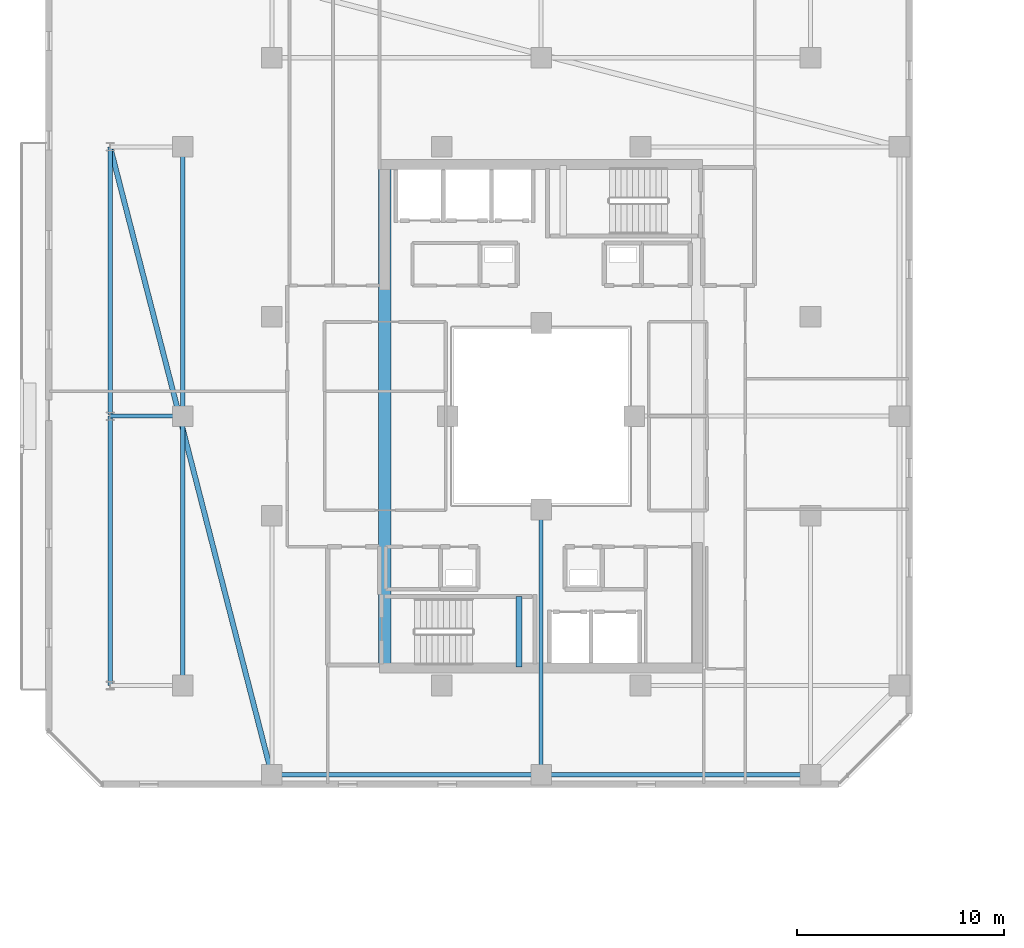
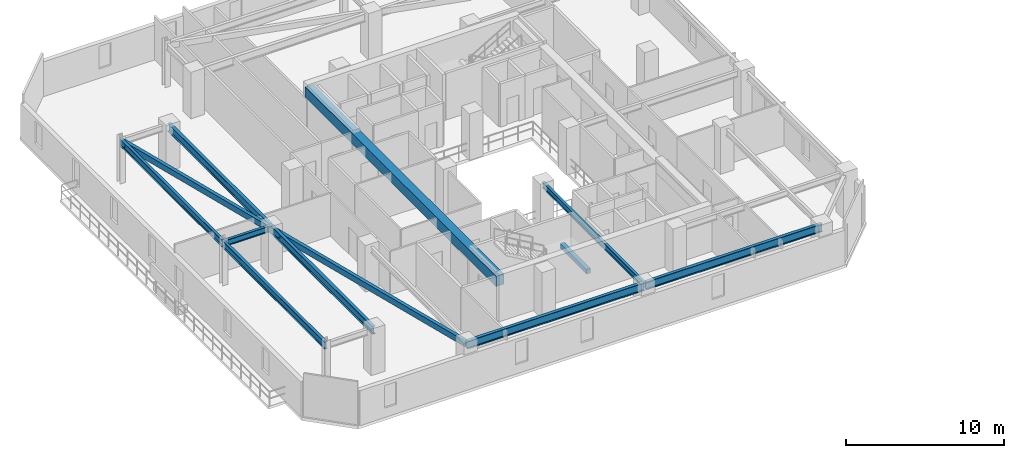
# One storey, part 4 of 33: 11 beams.
"""IFC4 building model written with IfcOpenShell, lengths in metres."""

from ifc_helpers import new_model, si_unit, direction, frame, origin, origin_2d, place, context, subcontext, project, spatial, rectangle, hollow_rectangle, i_section, extrude, material, material_profile, profile_set, type_object, element, save


model = new_model("IFC4")

# Units and contexts
model_context = context("Model", 3, precision=1e-05, world=origin(), true_north=direction((0.0, 1.0)))
body_context = subcontext(model_context, "Body", "Model", "MODEL_VIEW")
ifc_project = project(units=[si_unit("LENGTHUNIT", "METRE"), si_unit("AREAUNIT", "SQUARE_METRE"), si_unit("VOLUMEUNIT", "CUBIC_METRE"), si_unit("PLANEANGLEUNIT", "RADIAN"), si_unit("MASSUNIT", "GRAM", prefix="KILO")], contexts=[model_context])

# Site, building, storey
site_placement = place(None, origin())
site = spatial("IfcSite", under=ifc_project, at=site_placement, CompositionType="ELEMENT")
building_placement = place(site_placement, origin())
building = spatial("IfcBuilding", under=site, at=building_placement, Name="Thornwick Lancets Civic Towers", CompositionType="ELEMENT")
storey_placement = place(building_placement, frame((0.0, 0.0, 210.89990234375)))
storey = spatial("IfcBuildingStorey", under=building, at=storey_placement, Name="L56", CompositionType="ELEMENT", Elevation=210.89990234375)

# Beams
ifc_material_1 = material(Name="Concrete C60/75", Category="concrete")
ifc_material_profile_1 = material_profile(ifc_material_1, rectangle(XDim=0.60009765625, YDim=0.800048828125, at=origin_2d()), Name="RC 600x800")
ifc_profile_set_1 = profile_set([ifc_material_profile_1], Name="Concrete C60/75")
beam_type_1 = type_object("IfcBeamType", Name="BM_COUP_RC800", PredefinedType="BEAM", material=ifc_profile_set_1)
beam_1_placement = place(storey_placement, frame((17.949951171875, 14.89990234375, 2.960205078125), z_axis=(0.0, 1.0, 0.0), x_axis=(-1.0, 0.0, 0.0)))
element("IfcBeam", 1, at=beam_1_placement, inside=storey, type_object=beam_type_1, Name="CB-L56-A2", PredefinedType="BEAM", context=body_context, shape_type="SweptSolid", body=[
    extrude(rectangle(XDim=0.60009765625, YDim=0.800048828125, at=origin_2d()), origin(), (0.0, 0.0, 1.0), 24.2001953125),
])
ifc_material_2 = material(Name="Steel S355JR", Category="steel")
ifc_material_profile_2 = material_profile(ifc_material_2, i_section(OverallWidth=0.210693359375, OverallDepth=0.53955078125, WebThickness=0.01171875, FlangeThickness=0.018798828125, FilletRadius=0.0126953125, at=origin_2d()), Name="UKB 533x210x109")
ifc_profile_set_2 = profile_set([ifc_material_profile_2], Name="Steel S355JR")
beam_type_2 = type_object("IfcBeamType", Name="BM_EDGE_533_109", PredefinedType="SPANDREL", material=ifc_profile_set_2)
beam_2_placement = place(storey_placement, frame((4.699951171875, 14.0, 3.09033203125), z_axis=(0.0, 1.0, 0.0), x_axis=(-1.0, 0.0, 0.0)))
element("IfcBeam", 2, at=beam_2_placement, inside=storey, type_object=beam_type_2, Name="BM-EDGE-L56-A-S3-1", PredefinedType="SPANDREL", context=body_context, shape_type="SweptSolid", body=[
    extrude(i_section(OverallWidth=0.210693359375, OverallDepth=0.53955078125, WebThickness=0.01171875, FlangeThickness=0.018798828125, FilletRadius=0.0126953125, at=origin_2d()), origin(), (0.0, 0.0, 1.0), 13.0),
])
beam_3_placement = place(storey_placement, frame((4.699951171875, 27.080078125, 3.09033203125), z_axis=(0.0, 1.0, 0.0), x_axis=(-1.0, 0.0, 0.0)))
element("IfcBeam", 3, at=beam_3_placement, inside=storey, type_object=beam_type_2, Name="BM-EDGE-L56-A-S3-2", PredefinedType="SPANDREL", context=body_context, shape_type="SweptSolid", body=[
    extrude(i_section(OverallWidth=0.210693359375, OverallDepth=0.53955078125, WebThickness=0.01171875, FlangeThickness=0.018798828125, FilletRadius=0.0126953125, at=origin_2d()), origin(), (0.0, 0.0, 1.0), 12.919921875),
])
ifc_material_profile_3 = material_profile(ifc_material_2, i_section(OverallWidth=0.230224609375, OverallDepth=0.6171875, WebThickness=0.01318359375, FlangeThickness=0.022216796875, FilletRadius=0.0126953125, at=origin_2d()), Name="UKB 610x229x140")
ifc_profile_set_3 = profile_set([ifc_material_profile_3], Name="Steel S355JR")
beam_type_3 = type_object("IfcBeamType", Name="BM_GIRD_610_140", PredefinedType="BEAM", material=ifc_profile_set_3)
beam_4_placement = place(storey_placement, frame((12.5, 9.699951171875, 3.051513671875), z_axis=(1.0, 0.0, 0.0), x_axis=(0.0, 1.0, 0.0)))
element("IfcBeam", 4, at=beam_4_placement, inside=storey, type_object=beam_type_3, Name="BM-SPINE-L56-A-0-1", PredefinedType="BEAM", context=body_context, shape_type="SweptSolid", body=[
    extrude(i_section(OverallWidth=0.230224609375, OverallDepth=0.6171875, WebThickness=0.01318359375, FlangeThickness=0.022216796875, FilletRadius=0.0126953125, at=origin_2d()), origin(), (0.0, 0.0, 1.0), 13.0),
])
beam_5_placement = place(storey_placement, frame((25.580078125, 9.699951171875, 3.051513671875), z_axis=(1.0, 0.0, 0.0), x_axis=(0.0, 1.0, 0.0)))
element("IfcBeam", 5, at=beam_5_placement, inside=storey, type_object=beam_type_3, Name="BM-SPINE-L56-A-1-2", PredefinedType="BEAM", context=body_context, shape_type="SweptSolid", body=[
    extrude(i_section(OverallWidth=0.230224609375, OverallDepth=0.6171875, WebThickness=0.01318359375, FlangeThickness=0.022216796875, FilletRadius=0.0126953125, at=origin_2d()), origin(), (0.0, 0.0, 1.0), 12.919921875),
])
beam_6_placement = place(storey_placement, frame((8.199951171875, 14.0, 3.051513671875), z_axis=(0.0, 1.0, 0.0), x_axis=(-1.0, 0.0, 0.0)))
element("IfcBeam", 6, at=beam_6_placement, inside=storey, type_object=beam_type_3, Name="BM-SPINE-L56-A-9-10", PredefinedType="BEAM", context=body_context, shape_type="SweptSolid", body=[
    extrude(i_section(OverallWidth=0.230224609375, OverallDepth=0.6171875, WebThickness=0.01318359375, FlangeThickness=0.022216796875, FilletRadius=0.0126953125, at=origin_2d()), origin(), (0.0, 0.0, 1.0), 13.0),
])
beam_7_placement = place(storey_placement, frame((8.199951171875, 27.080078125, 3.051513671875), z_axis=(0.0, 1.0, 0.0), x_axis=(-1.0, 0.0, 0.0)))
element("IfcBeam", 7, at=beam_7_placement, inside=storey, type_object=beam_type_3, Name="BM-SPINE-L56-A-10-11", PredefinedType="BEAM", context=body_context, shape_type="SweptSolid", body=[
    extrude(i_section(OverallWidth=0.230224609375, OverallDepth=0.6171875, WebThickness=0.01318359375, FlangeThickness=0.022216796875, FilletRadius=0.0126953125, at=origin_2d()), origin(), (0.0, 0.0, 1.0), 12.919921875),
])
ifc_material_profile_4 = material_profile(ifc_material_2, i_section(OverallWidth=0.19287109375, OverallDepth=0.46728515625, WebThickness=0.011474609375, FlangeThickness=0.01953125, FilletRadius=0.01025390625, at=origin_2d()), Name="UKB 457x191x98")
ifc_profile_set_4 = profile_set([ifc_material_profile_4], Name="Steel S355JR")
beam_type_4 = type_object("IfcBeamType", Name="BM_JOIST_457_98", PredefinedType="JOIST", material=ifc_profile_set_4)
beam_8_placement = place(storey_placement, frame((25.5, 22.5, 3.12646484375), z_axis=(0.0, -1.0, 0.0), x_axis=(1.0, 0.0, 0.0)))
element("IfcBeam", 8, at=beam_8_placement, inside=storey, type_object=beam_type_4, Name="BM-RADIN-L56-A02", PredefinedType="JOIST", context=body_context, shape_type="SweptSolid", body=[
    extrude(i_section(OverallWidth=0.19287109375, OverallDepth=0.46728515625, WebThickness=0.011474609375, FlangeThickness=0.01953125, FilletRadius=0.01025390625, at=origin_2d()), origin(), (0.0, 0.0, 1.0), 12.800048828125),
])
beam_9_placement = place(storey_placement, frame((8.199951171875, 27.0, 3.12646484375), z_axis=(-1.0, 0.0, 0.0), x_axis=(0.0, -1.0, 0.0)))
element("IfcBeam", 9, at=beam_9_placement, inside=storey, type_object=beam_type_4, Name="BM-RAD-L56-A11", PredefinedType="JOIST", context=body_context, shape_type="SweptSolid", body=[
    extrude(i_section(OverallWidth=0.19287109375, OverallDepth=0.46728515625, WebThickness=0.011474609375, FlangeThickness=0.01953125, FilletRadius=0.01025390625, at=origin_2d()), origin(), (0.0, 0.0, 1.0), 3.5),
])
ifc_material_profile_5 = material_profile(ifc_material_2, hollow_rectangle(XDim=0.25, YDim=0.449951171875, WallThickness=0.01611328125, at=origin_2d()), Name="RHS 450x250x16")
ifc_profile_set_5 = profile_set([ifc_material_profile_5], Name="Steel S355JR")
beam_type_5 = type_object("IfcBeamType", Name="BM_RING_RHS450", PredefinedType="BEAM", material=ifc_profile_set_5)
beam_10_placement = place(storey_placement, frame((4.699951171875, 40.0, 3.135009765625), z_axis=(0.249299080716, -0.96842654257, 0.0), x_axis=(0.96842654257, 0.249299080716, 0.0)))
element("IfcBeam", 10, at=beam_10_placement, inside=storey, type_object=beam_type_5, Name="BM-CHAMF-L56-A-C3", PredefinedType="BEAM", context=body_context, shape_type="SweptSolid", body=[
    extrude(hollow_rectangle(XDim=0.25, YDim=0.449951171875, WallThickness=0.01611328125, at=origin_2d()), origin(), (0.0, 0.0, 1.0), 31.287841796875),
])
ifc_material_3 = material(Name="Concrete C40/50", Category="concrete")
ifc_material_profile_6 = material_profile(ifc_material_3, rectangle(XDim=0.300048828125, YDim=0.35009765625, at=origin_2d()), Name="RC 300x350")
ifc_profile_set_6 = profile_set([ifc_material_profile_6], Name="Concrete C40/50")
beam_type_6 = type_object("IfcBeamType", Name="BM_STAIR_LDG", PredefinedType="BEAM", material=ifc_profile_set_6)
beam_11_placement = place(storey_placement, frame((24.43505859375, 14.89990234375, 1.378173828125), z_axis=(0.0, 1.0, 0.0), x_axis=(-1.0, 0.0, 0.0)))
element("IfcBeam", 11, at=beam_11_placement, inside=storey, type_object=beam_type_6, Name="L56 ST-A1 Landing Support Beam 1", PredefinedType="BEAM", context=body_context, shape_type="SweptSolid", body=[
    extrude(rectangle(XDim=0.300048828125, YDim=0.35009765625, at=origin_2d()), origin(), (0.0, 0.0, 1.0), 3.400146484375),
])

save(model, "model.ifc")
